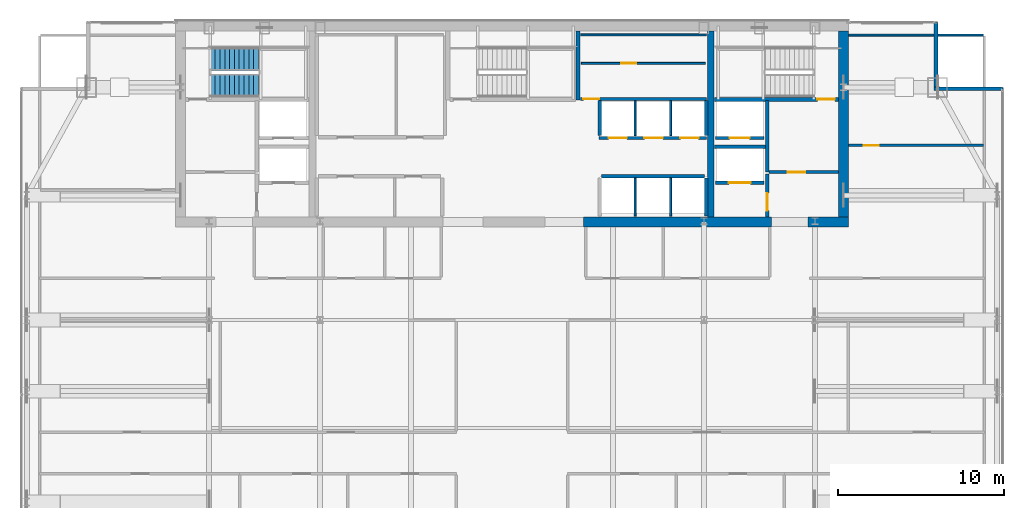
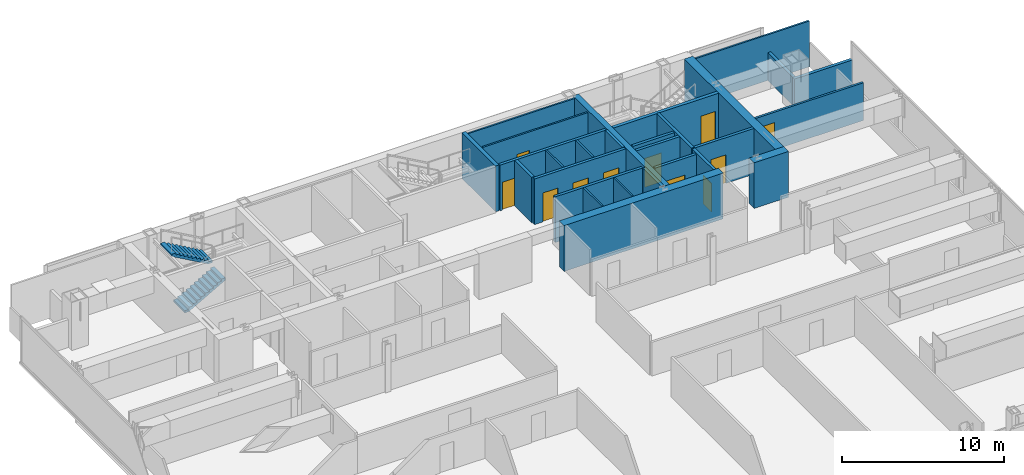
# One storey, part 23 of 26: 28 walls, 11 doors, 2 stair flights, 11 openings, 1 element without a shape of its own.
"""IFC4 building model written with IfcOpenShell, lengths in metres."""

from ifc_helpers import new_model, si_unit, direction, frame, frame_2d, origin, place, context, subcontext, project, spatial, polyline, rectangle, outline, extrude, material, layer, layer_set, type_object, element, fill, aggregate, save


model = new_model("IFC4")

# Units and contexts
model_context = context("Model", 3, precision=1e-05, world=origin(), true_north=direction((0.0, 1.0)))
body_context = subcontext(model_context, "Body", "Model", "MODEL_VIEW")
ifc_project = project(units=[si_unit("LENGTHUNIT", "METRE"), si_unit("AREAUNIT", "SQUARE_METRE"), si_unit("VOLUMEUNIT", "CUBIC_METRE"), si_unit("PLANEANGLEUNIT", "RADIAN"), si_unit("MASSUNIT", "GRAM", prefix="KILO")], contexts=[model_context])

# Site, building, storey
site_placement = place(None, origin())
site = spatial("IfcSite", under=ifc_project, at=site_placement, CompositionType="ELEMENT")
building_placement = place(site_placement, origin())
building = spatial("IfcBuilding", under=site, at=building_placement, Name="Khoronbel Lancet Exchange", CompositionType="ELEMENT")
storey_placement = place(building_placement, frame((0.0, 0.0, 235.39990234375)))
storey = spatial("IfcBuildingStorey", under=building, at=storey_placement, Name="L60", CompositionType="ELEMENT", Elevation=235.39990234375)

# Walls
ifc_material_1 = material(Name="Concrete C60/75", Category="concrete")
ifc_layer_1 = layer(ifc_material_1, 0.60009765625, Name="Concrete C60/75")
ifc_layer_set_1 = layer_set([ifc_layer_1], Name="Concrete C60/75")
wall_type_1 = type_object("IfcWallType", Name="WL-CW3", PredefinedType="SHEAR", material=ifc_layer_set_1)
wall_1_placement = place(storey_placement, frame((56.39990234375, 53.10009765625, 0.0), z_axis=(0.0, 0.0, 1.0), x_axis=(0.0, -1.0, 0.0)))
element("IfcWall", 1, at=wall_1_placement, inside=storey, type_object=wall_type_1, Name="Level L60 rear core east shear wall", PredefinedType="SHEAR", context=body_context, shape_type="SweptSolid", body=[
    extrude(rectangle(XDim=11.2001953125, YDim=0.60009765625, at=frame_2d((5.60009765625, 0.0))), origin(), (0.0, 0.0, 1.0), 3.440185546875),
])
wall_2_placement = place(storey_placement, frame((52.050048828125, 41.60009765625, 0.0), z_axis=(0.0, 0.0, 1.0), x_axis=(-1.0, 0.0, 0.0)))
element("IfcWall", 2, at=wall_2_placement, inside=storey, type_object=wall_type_1, Name="Level L60 rear core south shear wall pier P4", PredefinedType="SHEAR", context=body_context, shape_type="SweptSolid", body=[
    extrude(rectangle(XDim=11.300048828125, YDim=0.60009765625, at=frame_2d((5.64990234375, 0.0))), origin(), (0.0, 0.0, 1.0), 3.440185546875),
])
wall_3_placement = place(storey_placement, frame((56.699951171875, 41.60009765625, 0.0), z_axis=(0.0, 0.0, 1.0), x_axis=(-1.0, 0.0, 0.0)))
element("IfcWall", 3, at=wall_3_placement, inside=storey, type_object=wall_type_1, Name="Level L60 rear core south shear wall pier P5", PredefinedType="SHEAR", context=body_context, shape_type="SweptSolid", body=[
    extrude(rectangle(XDim=2.449951171875, YDim=0.60009765625, at=frame_2d((1.22509765625, 0.0))), origin(), (0.0, 0.0, 1.0), 3.440185546875),
])
ifc_material_2 = material(Name="Precast concrete C40/50", Category="concrete")
ifc_layer_2 = layer(ifc_material_2, 0.25, Name="Precast concrete C40/50")
ifc_layer_set_2 = layer_set([ifc_layer_2], Name="Precast concrete C40/50")
wall_type_2 = type_object("IfcWallType", Name="WL-EXT250", PredefinedType="SOLIDWALL", material=ifc_layer_set_2)
wall_4_placement = place(storey_placement, frame((61.9599609375, 53.6298828125, 0.0), z_axis=(0.0, 0.0, 1.0), x_axis=(0.0, -1.0, 0.0)))
element("IfcWall", 4, at=wall_4_placement, inside=storey, type_object=wall_type_2, Name="Level L60 notched-corner limestone pier 07", PredefinedType="SOLIDWALL", context=body_context, shape_type="SweptSolid", body=[
    extrude(rectangle(XDim=3.909912109375, YDim=0.219970703125, at=frame_2d((1.955078125, 0.0))), origin(), (0.0, 0.0, 1.0), 2.090087890625),
])
wall_5_placement = place(storey_placement, frame((61.85009765625, 49.610107421875, 0.0), z_axis=(0.0, 0.0, 1.0), x_axis=(1.0, 0.0, 0.0)))
element("IfcWall", 5, at=wall_5_placement, inside=storey, type_object=wall_type_2, Name="Level L60 notched-corner limestone pier 08", PredefinedType="SOLIDWALL", context=body_context, shape_type="SweptSolid", body=[
    extrude(rectangle(XDim=4.1298828125, YDim=0.219970703125, at=frame_2d((2.06494140625, 0.0))), origin(), (0.0, 0.0, 1.0), 2.090087890625),
])

# Wall, opening, door
ifc_material_3 = material(Name="Acoustic Metal-Stud & Mineral-Wool Gypsum Partition 120 mm", Category="gypsum")
ifc_layer_3 = layer(ifc_material_3, 0.1201171875, Name="Acoustic Metal-Stud & Mineral-Wool Gypsum Partition 120 mm")
ifc_layer_set_3 = layer_set([ifc_layer_3], Name="Acoustic Metal-Stud & Mineral-Wool Gypsum Partition 120 mm")
wall_type_3 = type_object("IfcWallType", Name="WL-PRT120", PredefinedType="PARTITIONING", material=ifc_layer_set_3)
wall_6_placement = place(storey_placement, frame((56.699951171875, 46.199951171875, 0.0), z_axis=(0.0, 0.0, 1.0), x_axis=(1.0, 0.0, 0.0)))
wall_6 = element("IfcWall", 6, at=wall_6_placement, inside=storey, type_object=wall_type_3, Name="Level L60 interior partition PW-NE-H", PredefinedType="PARTITIONING", context=body_context, shape_type="SweptSolid", body=[
    extrude(rectangle(XDim=8.10498046875, YDim=0.14990234375, at=frame_2d((4.052490234375, 0.0))), origin(), (0.0, 0.0, 1.0), 2.830078125),
])
opening_1_placement = place(wall_6_placement, frame((0.89990234375, 0.0, 0.0)))
opening_1 = element("IfcOpeningElement", 7, at=opening_1_placement, cuts=wall_6, Name="Opening D5", PredefinedType="OPENING", context=body_context, shape_type="SweptSolid", body=[
    extrude(rectangle(XDim=0.89990234375, YDim=2.050048828125, at=frame_2d((0.449951171875, 1.02490234375))), frame((0.0, 0.0849609375, 0.0), z_axis=(0.0, -1.0, 0.0), x_axis=(1.0, 0.0, 0.0)), (0.0, 0.0, 1.0), 0.169921875),
])
ifc_material_4 = material(Name="Acoustic Timber Pantry & Support Door", Category="wood")
door_type_1 = type_object("IfcDoorType", Name="DR-D5", OperationType="NOTDEFINED", PredefinedType="DOOR", material=ifc_material_4)
door_1_placement = place(opening_1_placement, origin())
door_1 = element("IfcDoor", 8, at=door_1_placement, inside=storey, type_object=door_type_1, Name="NE north room door L60-1", OperationType="SINGLE_SWING_LEFT", OverallHeight=2.050048828125, OverallWidth=0.89990234375, PredefinedType="DOOR", context=body_context, shape_type="SweptSolid", body=[
    extrude(rectangle(XDim=0.89990234375, YDim=2.050048828125, at=frame_2d((0.449951171875, 1.02490234375))), frame((0.0, 0.02490234375, 0.0), z_axis=(0.0, -1.0, 0.0), x_axis=(1.0, 0.0, 0.0)), (0.0, 0.0, 1.0), 0.050048828125),
])
fill(opening_1, door_1)

# Walls
wall_7_placement = place(storey_placement, frame((56.699951171875, 52.840087890625, 0.0), z_axis=(0.0, 0.0, 1.0), x_axis=(1.0, 0.0, 0.0)))
element("IfcWall", 9, at=wall_7_placement, inside=storey, type_object=wall_type_3, Name="Level L60 interior partition PW-LIN-NE", PredefinedType="PARTITIONING", context=body_context, shape_type="SweptSolid", body=[
    extrude(rectangle(XDim=8.10498046875, YDim=0.1201171875, at=frame_2d((4.052490234375, 0.0))), origin(), (0.0, 0.0, 1.0), 3.440185546875),
])
ifc_material_5 = material(Name="Fire-Rated Metal-Stud & Mineral-Wool Gypsum Partition 120 mm", Category="gypsum")
ifc_layer_4 = layer(ifc_material_5, 0.1201171875, Name="Fire-Rated Metal-Stud & Mineral-Wool Gypsum Partition 120 mm")
ifc_layer_set_4 = layer_set([ifc_layer_4], Name="Fire-Rated Metal-Stud & Mineral-Wool Gypsum Partition 120 mm")
wall_type_4 = type_object("IfcWallType", Name="WL-PRT120F", PredefinedType="PARTITIONING", material=ifc_layer_set_4)
for number, where, z_axis, x_axis, name in (
    (10, (43.860107421875, 46.800048828125, 0.0), (0.0, 0.0, 1.0), (0.0, 1.0, 0.0), "Level L60 interior partition CW-PH-D1"),
    (11, (46.0, 46.800048828125, 0.0), (0.0, 0.0, 1.0), (0.0, 1.0, 0.0), "Level L60 interior partition CW-PH-D2"),
):
    element("IfcWall", number, at=place(storey_placement, frame(where, z_axis=z_axis, x_axis=x_axis)), inside=storey, type_object=wall_type_4, Name=name, PredefinedType="PARTITIONING", context=body_context, shape_type="SweptSolid", body=[
        extrude(rectangle(XDim=2.094970703125, YDim=0.1201171875, at=frame_2d((1.04736328125, 0.0))), origin(), (0.0, 0.0, 1.0), 3.440185546875),
    ])
for number, where, z_axis, x_axis, name in (
    (12, (43.860107421875, 41.949951171875, 0.0), (0.0, 0.0, 1.0), (0.0, 1.0, 0.0), "Level L60 interior partition CW-PX-D1"),
    (13, (46.0, 41.949951171875, 0.0), (0.0, 0.0, 1.0), (0.0, 1.0, 0.0), "Level L60 interior partition CW-PX-D2"),
):
    element("IfcWall", number, at=place(storey_placement, frame(where, z_axis=z_axis, x_axis=x_axis)), inside=storey, type_object=wall_type_4, Name=name, PredefinedType="PARTITIONING", context=body_context, shape_type="SweptSolid", body=[
        extrude(rectangle(XDim=2.295166015625, YDim=0.1201171875, at=frame_2d((1.1474609375, 0.0))), origin(), (0.0, 0.0, 1.0), 3.440185546875),
    ])
wall_8_placement = place(storey_placement, frame((40.580078125, 52.860107421875, 0.0), z_axis=(0.0, 0.0, 1.0), x_axis=(1.0, 0.0, 0.0)))
element("IfcWall", 14, at=wall_8_placement, inside=storey, type_object=wall_type_4, Name="Level L60 interior partition CW-SUP-NE-N", PredefinedType="PARTITIONING", context=body_context, shape_type="SweptSolid", body=[
    extrude(rectangle(XDim=7.559814453125, YDim=0.1201171875, at=frame_2d((3.77978515625, 0.0))), origin(), (0.0, 0.0, 1.0), 3.440185546875),
])

# Wall, opening, door
wall_9_placement = place(storey_placement, frame((40.6298828125, 51.139892578125, 0.0), z_axis=(0.0, 0.0, 1.0), x_axis=(1.0, 0.0, 0.0)))
wall_9 = element("IfcWall", 15, at=wall_9_placement, inside=storey, type_object=wall_type_4, Name="Level L60 interior partition CW-SUP-NE-H", PredefinedType="PARTITIONING", context=body_context, shape_type="SweptSolid", body=[
    extrude(rectangle(XDim=7.460205078125, YDim=0.1201171875, at=frame_2d((3.72998046875, 0.0))), origin(), (0.0, 0.0, 1.0), 3.440185546875),
])
opening_2_placement = place(wall_9_placement, frame((2.39990234375, 0.0, 0.0)))
opening_2 = element("IfcOpeningElement", 16, at=opening_2_placement, cuts=wall_9, Name="Opening FD4", PredefinedType="OPENING", context=body_context, shape_type="SweptSolid", body=[
    extrude(rectangle(XDim=0.89990234375, YDim=2.050048828125, at=frame_2d((0.449951171875, 1.02490234375))), frame((0.0, 0.070068359375, 0.0), z_axis=(0.0, -1.0, 0.0), x_axis=(1.0, 0.0, 0.0)), (0.0, 0.0, 1.0), 0.14013671875),
])
ifc_material_6 = material(Name="Fire-Rated Steel Core Support Door Assembly", Category="steel")
door_type_2 = type_object("IfcDoorType", Name="DR-FD4", OperationType="NOTDEFINED", PredefinedType="DOOR", material=ifc_material_6)
door_2_placement = place(opening_2_placement, origin())
door_2 = element("IfcDoor", 17, at=door_2_placement, inside=storey, type_object=door_type_2, Name="Core NE north store door L60-1", OperationType="SINGLE_SWING_RIGHT", OverallHeight=2.050048828125, OverallWidth=0.89990234375, PredefinedType="DOOR", context=body_context, shape_type="SweptSolid", body=[
    extrude(rectangle(XDim=0.89990234375, YDim=2.050048828125, at=frame_2d((0.449951171875, 1.02490234375))), frame((0.0, 0.02490234375, 0.0), z_axis=(0.0, -1.0, 0.0), x_axis=(1.0, 0.0, 0.0)), (0.0, 0.0, 1.0), 0.050048828125),
])
fill(opening_2, door_2)

ifc_material_7 = material(Name="Autoclaved Aerated Concrete Blockwork 200 mm", Category="masonry")
ifc_layer_5 = layer(ifc_material_7, 0.199951171875, Name="Autoclaved Aerated Concrete Blockwork 200 mm")
ifc_layer_set_5 = layer_set([ifc_layer_5], Name="Autoclaved Aerated Concrete Blockwork 200 mm")
wall_type_5 = type_object("IfcWallType", Name="WL-PRT200", PredefinedType="PARTITIONING", material=ifc_layer_set_5)
wall_10_placement = place(storey_placement, frame((51.610107421875, 43.949951171875, 0.0), z_axis=(0.0, 0.0, 1.0), x_axis=(-1.0, 0.0, 0.0)))
wall_10 = element("IfcWall", 18, at=wall_10_placement, inside=storey, type_object=wall_type_5, Name="Level L60 elevator hoistway landing front wall SVLE", PredefinedType="PARTITIONING", context=body_context, shape_type="SweptSolid", body=[
    extrude(rectangle(XDim=2.920166015625, YDim=0.199951171875, at=frame_2d((1.4599609375, 0.0))), origin(), (0.0, 0.0, 1.0), 3.440185546875),
])
opening_3_placement = place(wall_10_placement, frame((0.81005859375, 0.0, 0.0)))
opening_3 = element("IfcOpeningElement", 19, at=opening_3_placement, cuts=wall_10, Name="Opening LD-SVL2", PredefinedType="OPENING", context=body_context, shape_type="SweptSolid", body=[
    extrude(rectangle(XDim=1.300048828125, YDim=2.179931640625, at=frame_2d((0.64990234375, 1.08984375))), frame((0.0, 0.10986328125, 0.0), z_axis=(0.0, -1.0, 0.0), x_axis=(1.0, 0.0, 0.0)), (0.0, 0.0, 1.0), 0.219970703125),
])
ifc_material_8 = material(Name="Heavy-Duty Bi-Parting Goods Lift Landing Door", Category="steel")
door_type_3 = type_object("IfcDoorType", Name="DR-LD-SVL", OperationType="NOTDEFINED", PredefinedType="DOOR", material=ifc_material_8)
door_3_placement = place(opening_3_placement, origin())
door_3 = element("IfcDoor", 20, at=door_3_placement, inside=storey, type_object=door_type_3, Name="Elevator landing sliding door LD-SVL2 L60", OperationType="SLIDING_TO_LEFT", OverallHeight=2.179931640625, OverallWidth=1.300048828125, PredefinedType="DOOR", context=body_context, shape_type="SweptSolid", body=[
    extrude(rectangle(XDim=1.300048828125, YDim=2.179931640625, at=frame_2d((0.64990234375, 1.08984375))), frame((0.0, 0.02490234375, 0.0), z_axis=(0.0, -1.0, 0.0), x_axis=(1.0, 0.0, 0.0)), (0.0, 0.0, 1.0), 0.050048828125),
])
fill(opening_3, door_3)

wall_11_placement = place(storey_placement, frame((51.610107421875, 46.64990234375, 0.0), z_axis=(0.0, 0.0, 1.0), x_axis=(-1.0, 0.0, 0.0)))
wall_11 = element("IfcWall", 21, at=wall_11_placement, inside=storey, type_object=wall_type_5, Name="Level L60 elevator hoistway landing front wall FFLE", PredefinedType="PARTITIONING", context=body_context, shape_type="SweptSolid", body=[
    extrude(rectangle(XDim=2.920166015625, YDim=0.199951171875, at=frame_2d((1.4599609375, 0.0))), origin(), (0.0, 0.0, 1.0), 3.440185546875),
])
opening_4_placement = place(wall_11_placement, frame((0.860107421875, 0.0, 0.0)))
opening_4 = element("IfcOpeningElement", 22, at=opening_4_placement, cuts=wall_11, Name="Opening LD-FFL2", PredefinedType="OPENING", context=body_context, shape_type="SweptSolid", body=[
    extrude(rectangle(XDim=1.199951171875, YDim=2.179931640625, at=frame_2d((0.60009765625, 1.08984375))), frame((0.0, 0.10986328125, 0.0), z_axis=(0.0, -1.0, 0.0), x_axis=(1.0, 0.0, 0.0)), (0.0, 0.0, 1.0), 0.219970703125),
])
ifc_material_9 = material(Name="Fire-Rated Stainless Bi-Parting Firefighting Lift Door", Category="steel")
door_type_4 = type_object("IfcDoorType", Name="DR-LD-FFL", OperationType="NOTDEFINED", PredefinedType="DOOR", material=ifc_material_9)
door_4_placement = place(opening_4_placement, origin())
door_4 = element("IfcDoor", 23, at=door_4_placement, inside=storey, type_object=door_type_4, Name="Elevator landing sliding door LD-FFL2 L60", OperationType="SLIDING_TO_LEFT", OverallHeight=2.179931640625, OverallWidth=1.199951171875, PredefinedType="DOOR", context=body_context, shape_type="SweptSolid", body=[
    extrude(rectangle(XDim=1.199951171875, YDim=2.179931640625, at=frame_2d((0.60009765625, 1.08984375))), frame((0.0, 0.02490234375, 0.0), z_axis=(0.0, -1.0, 0.0), x_axis=(1.0, 0.0, 0.0)), (0.0, 0.0, 1.0), 0.050048828125),
])
fill(opening_4, door_4)

# Wall, openings, doors
wall_12_placement = place(storey_placement, frame((48.159912109375, 46.64990234375, 0.0), z_axis=(0.0, 0.0, 1.0), x_axis=(-1.0, 0.0, 0.0)))
wall_12 = element("IfcWall", 24, at=wall_12_placement, inside=storey, type_object=wall_type_5, Name="Level L60 elevator hoistway landing front wall PHE", PredefinedType="PARTITIONING", context=body_context, shape_type="SweptSolid", body=[
    extrude(rectangle(XDim=6.47998046875, YDim=0.199951171875, at=frame_2d((3.239990234375, 0.0))), origin(), (0.0, 0.0, 1.0), 3.440185546875),
])
opening_5_placement = place(wall_12_placement, frame((4.800048828125, 0.0, 0.0)))
opening_5 = element("IfcOpeningElement", 25, at=opening_5_placement, cuts=wall_12, Name="Opening LD-PH1", PredefinedType="OPENING", context=body_context, shape_type="SweptSolid", body=[
    extrude(rectangle(XDim=1.10009765625, YDim=2.179931640625, at=frame_2d((0.550048828125, 1.08984375))), frame((0.0, 0.10986328125, 0.0), z_axis=(0.0, -1.0, 0.0), x_axis=(1.0, 0.0, 0.0)), (0.0, 0.0, 1.0), 0.219970703125),
])
opening_6_placement = place(wall_12_placement, frame((2.639892578125, 0.0, 0.0)))
opening_6 = element("IfcOpeningElement", 26, at=opening_6_placement, cuts=wall_12, Name="Opening LD-PH2", PredefinedType="OPENING", context=body_context, shape_type="SweptSolid", body=[
    extrude(rectangle(XDim=1.10009765625, YDim=2.179931640625, at=frame_2d((0.550048828125, 1.08984375))), frame((0.0, 0.10986328125, 0.0), z_axis=(0.0, -1.0, 0.0), x_axis=(1.0, 0.0, 0.0)), (0.0, 0.0, 1.0), 0.219970703125),
])
opening_7_placement = place(wall_12_placement, frame((0.47998046875, 0.0, 0.0)))
opening_7 = element("IfcOpeningElement", 27, at=opening_7_placement, cuts=wall_12, Name="Opening LD-PH3", PredefinedType="OPENING", context=body_context, shape_type="SweptSolid", body=[
    extrude(rectangle(XDim=1.10009765625, YDim=2.179931640625, at=frame_2d((0.550048828125, 1.08984375))), frame((0.0, 0.10986328125, 0.0), z_axis=(0.0, -1.0, 0.0), x_axis=(1.0, 0.0, 0.0)), (0.0, 0.0, 1.0), 0.219970703125),
])
ifc_material_10 = material(Name="Brushed Bronze Bi-Parting Elevator Landing Door", Category="steel")
door_type_5 = type_object("IfcDoorType", Name="DR-LD-PAX", OperationType="NOTDEFINED", PredefinedType="DOOR", material=ifc_material_10)
door_5_placement = place(opening_5_placement, origin())
door_5 = element("IfcDoor", 28, at=door_5_placement, inside=storey, type_object=door_type_5, Name="Elevator landing sliding door LD-PH1 L60", OperationType="SLIDING_TO_LEFT", OverallHeight=2.179931640625, OverallWidth=1.10009765625, PredefinedType="DOOR", context=body_context, shape_type="SweptSolid", body=[
    extrude(rectangle(XDim=1.10009765625, YDim=2.179931640625, at=frame_2d((0.550048828125, 1.08984375))), frame((0.0, 0.02490234375, 0.0), z_axis=(0.0, -1.0, 0.0), x_axis=(1.0, 0.0, 0.0)), (0.0, 0.0, 1.0), 0.050048828125),
])
fill(opening_5, door_5)
door_6_placement = place(opening_6_placement, origin())
door_6 = element("IfcDoor", 29, at=door_6_placement, inside=storey, type_object=door_type_5, Name="Elevator landing sliding door LD-PH2 L60", OperationType="SLIDING_TO_LEFT", OverallHeight=2.179931640625, OverallWidth=1.10009765625, PredefinedType="DOOR", context=body_context, shape_type="SweptSolid", body=[
    extrude(rectangle(XDim=1.10009765625, YDim=2.179931640625, at=frame_2d((0.550048828125, 1.08984375))), frame((0.0, 0.02490234375, 0.0), z_axis=(0.0, -1.0, 0.0), x_axis=(1.0, 0.0, 0.0)), (0.0, 0.0, 1.0), 0.050048828125),
])
fill(opening_6, door_6)
door_7_placement = place(opening_7_placement, origin())
door_7 = element("IfcDoor", 30, at=door_7_placement, inside=storey, type_object=door_type_5, Name="Elevator landing sliding door LD-PH3 L60", OperationType="SLIDING_TO_LEFT", OverallHeight=2.179931640625, OverallWidth=1.10009765625, PredefinedType="DOOR", context=body_context, shape_type="SweptSolid", body=[
    extrude(rectangle(XDim=1.10009765625, YDim=2.179931640625, at=frame_2d((0.550048828125, 1.08984375))), frame((0.0, 0.02490234375, 0.0), z_axis=(0.0, -1.0, 0.0), x_axis=(1.0, 0.0, 0.0)), (0.0, 0.0, 1.0), 0.050048828125),
])
fill(opening_7, door_7)

# Wall
wall_13_placement = place(storey_placement, frame((51.800048828125, 44.60009765625, 0.0), z_axis=(0.0, 0.0, 1.0), x_axis=(0.0, 1.0, 0.0)))
element("IfcWall", 31, at=wall_13_placement, inside=storey, type_object=wall_type_5, Name="Level L60 interior partition CW-FFLE-W", PredefinedType="PARTITIONING", context=body_context, shape_type="SweptSolid", body=[
    extrude(rectangle(XDim=4.2998046875, YDim=0.199951171875, at=frame_2d((2.14990234375, 0.0))), origin(), (0.0, 0.0, 1.0), 3.440185546875),
])

# Wall, opening, door
wall_14_placement = place(storey_placement, frame((51.89990234375, 44.60009765625, 0.0), z_axis=(0.0, 0.0, 1.0), x_axis=(1.0, 0.0, 0.0)))
wall_14 = element("IfcWall", 32, at=wall_14_placement, inside=storey, type_object=wall_type_5, Name="Level L60 interior partition CW-FFLE-S", PredefinedType="PARTITIONING", context=body_context, shape_type="SweptSolid", body=[
    extrude(rectangle(XDim=4.2001953125, YDim=0.199951171875, at=frame_2d((2.10009765625, 0.0))), origin(), (0.0, 0.0, 1.0), 3.440185546875),
])
opening_8_placement = place(wall_14_placement, frame((1.14990234375, 0.0, 0.0)))
opening_8 = element("IfcOpeningElement", 33, at=opening_8_placement, cuts=wall_14, Name="Opening FD1", PredefinedType="OPENING", context=body_context, shape_type="SweptSolid", body=[
    extrude(rectangle(XDim=1.050048828125, YDim=2.14990234375, at=frame_2d((0.52490234375, 1.074951171875))), frame((0.0, 0.10986328125, 0.0), z_axis=(0.0, -1.0, 0.0), x_axis=(1.0, 0.0, 0.0)), (0.0, 0.0, 1.0), 0.219970703125),
])
ifc_material_11 = material(Name="Fire-Rated Painted Steel Door Assembly", Category="steel")
door_type_6 = type_object("IfcDoorType", Name="DR-FD1", OperationType="NOTDEFINED", PredefinedType="DOOR", material=ifc_material_11)
door_8_placement = place(opening_8_placement, origin())
door_8 = element("IfcDoor", 34, at=door_8_placement, inside=storey, type_object=door_type_6, Name="East firefighting lobby FD90S door L60-1", OperationType="SINGLE_SWING_LEFT", OverallHeight=2.14990234375, OverallWidth=1.050048828125, PredefinedType="DOOR", context=body_context, shape_type="SweptSolid", body=[
    extrude(rectangle(XDim=1.050048828125, YDim=2.14990234375, at=frame_2d((0.52490234375, 1.074951171875))), frame((0.0, 0.02490234375, 0.0), z_axis=(0.0, -1.0, 0.0), x_axis=(1.0, 0.0, 0.0)), (0.0, 0.0, 1.0), 0.050048828125),
])
fill(opening_8, door_8)

# Wall
wall_15_placement = place(storey_placement, frame((48.6298828125, 46.1201171875, 0.0), z_axis=(0.0, 0.0, 1.0), x_axis=(1.0, 0.0, 0.0)))
element("IfcWall", 35, at=wall_15_placement, inside=storey, type_object=wall_type_5, Name="Level L60 interior partition CW-FFL2-S", PredefinedType="PARTITIONING", context=body_context, shape_type="SweptSolid", body=[
    extrude(rectangle(XDim=3.070068359375, YDim=0.199951171875, at=frame_2d((1.53515625, 0.0))), origin(), (0.0, 0.0, 1.0), 3.440185546875),
])

# Wall, opening, door
wall_16_placement = place(storey_placement, frame((51.800048828125, 41.89990234375, 0.0), z_axis=(0.0, 0.0, 1.0), x_axis=(0.0, 1.0, 0.0)))
wall_16 = element("IfcWall", 36, at=wall_16_placement, inside=storey, type_object=wall_type_5, Name="Level L60 interior partition CW-SVLE-E", PredefinedType="PARTITIONING", context=body_context, shape_type="SweptSolid", body=[
    extrude(rectangle(XDim=2.59521484375, YDim=0.199951171875, at=frame_2d((1.297607421875, 0.0))), origin(), (0.0, 0.0, 1.0), 3.440185546875),
])
opening_9_placement = place(wall_16_placement, frame((0.3798828125, 0.0, 0.0)))
opening_9 = element("IfcOpeningElement", 37, at=opening_9_placement, cuts=wall_16, Name="Opening FD1", PredefinedType="OPENING", context=body_context, shape_type="SweptSolid", body=[
    extrude(rectangle(XDim=1.050048828125, YDim=2.14990234375, at=frame_2d((0.52490234375, 1.074951171875))), frame((0.0, 0.10986328125, 0.0), z_axis=(0.0, -1.0, 0.0), x_axis=(1.0, 0.0, 0.0)), (0.0, 0.0, 1.0), 0.219970703125),
])
door_9_placement = place(opening_9_placement, origin())
door_9 = element("IfcDoor", 38, at=door_9_placement, inside=storey, type_object=door_type_6, Name="East service lift lobby door L60-1", OperationType="SINGLE_SWING_RIGHT", OverallHeight=2.14990234375, OverallWidth=1.050048828125, PredefinedType="DOOR", context=body_context, shape_type="SweptSolid", body=[
    extrude(rectangle(XDim=1.050048828125, YDim=2.14990234375, at=frame_2d((0.52490234375, 1.074951171875))), frame((0.0, 0.02490234375, 0.0), z_axis=(0.0, -1.0, 0.0), x_axis=(1.0, 0.0, 0.0)), (0.0, 0.0, 1.0), 0.050048828125),
])
fill(opening_9, door_9)

# Walls
for number, where, z_axis, x_axis, name in (
    (39, (41.719970703125, 46.800048828125, 0.0), (0.0, 0.0, 1.0), (0.0, 1.0, 0.0), "Level L60 interior partition CW-PH-W"),
    (40, (48.139892578125, 46.800048828125, 0.0), (0.0, 0.0, 1.0), (0.0, 1.0, 0.0), "Level L60 interior partition CW-PH-E"),
):
    element("IfcWall", number, at=place(storey_placement, frame(where, z_axis=z_axis, x_axis=x_axis)), inside=storey, type_object=wall_type_5, Name=name, PredefinedType="PARTITIONING", context=body_context, shape_type="SweptSolid", body=[
        extrude(rectangle(XDim=2.094970703125, YDim=0.199951171875, at=frame_2d((1.04736328125, 0.0))), origin(), (0.0, 0.0, 1.0), 3.440185546875),
    ])
wall_17_placement = place(storey_placement, frame((41.824951171875, 44.35009765625, 0.0), z_axis=(0.0, 0.0, 1.0), x_axis=(1.0, 0.0, 0.0)))
element("IfcWall", 41, at=wall_17_placement, inside=storey, type_object=wall_type_5, Name="Level L60 interior partition CW-PX-EXP", PredefinedType="PARTITIONING", context=body_context, shape_type="SweptSolid", body=[
    extrude(rectangle(XDim=6.2099609375, YDim=0.199951171875, at=frame_2d((3.10498046875, 0.0))), origin(), (0.0, 0.0, 1.0), 3.440185546875),
])
wall_18_placement = place(storey_placement, frame((48.139892578125, 41.949951171875, 0.0), z_axis=(0.0, 0.0, 1.0), x_axis=(0.0, 1.0, 0.0)))
element("IfcWall", 42, at=wall_18_placement, inside=storey, type_object=wall_type_5, Name="Level L60 interior partition CW-PX-E", PredefinedType="PARTITIONING", context=body_context, shape_type="SweptSolid", body=[
    extrude(rectangle(XDim=2.295166015625, YDim=0.199951171875, at=frame_2d((1.1474609375, 0.0))), origin(), (0.0, 0.0, 1.0), 3.440185546875),
])

# Wall, opening, door
wall_19_placement = place(storey_placement, frame((40.580078125, 49.0, 0.0), z_axis=(0.0, 0.0, 1.0), x_axis=(1.0, 0.0, 0.0)))
wall_19 = element("IfcWall", 43, at=wall_19_placement, inside=storey, type_object=wall_type_5, Name="Level L60 interior partition CW-SUP-NE-S", PredefinedType="PARTITIONING", context=body_context, shape_type="SweptSolid", body=[
    extrude(rectangle(XDim=7.559814453125, YDim=0.199951171875, at=frame_2d((3.77978515625, 0.0))), origin(), (0.0, 0.0, 1.0), 3.440185546875),
])
opening_10_placement = place(wall_19_placement, frame((0.159912109375, 0.0, 0.0)))
opening_10 = element("IfcOpeningElement", 44, at=opening_10_placement, cuts=wall_19, Name="Opening FD3", PredefinedType="OPENING", context=body_context, shape_type="SweptSolid", body=[
    extrude(rectangle(XDim=0.949951171875, YDim=2.10009765625, at=frame_2d((0.47509765625, 1.050048828125))), frame((0.0, 0.10986328125, 0.0), z_axis=(0.0, -1.0, 0.0), x_axis=(1.0, 0.0, 0.0)), (0.0, 0.0, 1.0), 0.219970703125),
])
ifc_material_12 = material(Name="Fire-Rated Steel Plant & Riser Door Assembly", Category="steel")
door_type_7 = type_object("IfcDoorType", Name="DR-FD3", OperationType="NOTDEFINED", PredefinedType="DOOR", material=ifc_material_12)
door_10_placement = place(opening_10_placement, origin())
door_10 = element("IfcDoor", 45, at=door_10_placement, inside=storey, type_object=door_type_7, Name="Core NE support room door L60-1", OperationType="SINGLE_SWING_LEFT", OverallHeight=2.10009765625, OverallWidth=0.949951171875, PredefinedType="DOOR", context=body_context, shape_type="SweptSolid", body=[
    extrude(rectangle(XDim=0.949951171875, YDim=2.10009765625, at=frame_2d((0.47509765625, 1.050048828125))), frame((0.0, 0.02490234375, 0.0), z_axis=(0.0, -1.0, 0.0), x_axis=(1.0, 0.0, 0.0)), (0.0, 0.0, 1.0), 0.050048828125),
])
fill(opening_10, door_10)

# Walls
ifc_layer_6 = layer(ifc_material_1, 0.39990234375, Name="Concrete C60/75")
ifc_layer_set_6 = layer_set([ifc_layer_6], Name="Concrete C60/75")
wall_type_6 = type_object("IfcWallType", Name="WL-SW2", PredefinedType="SHEAR", material=ifc_layer_set_6)
wall_20_placement = place(storey_placement, frame((48.39990234375, 41.89990234375, 0.0), z_axis=(0.0, 0.0, 1.0), x_axis=(0.0, 1.0, 0.0)))
element("IfcWall", 46, at=wall_20_placement, inside=storey, type_object=wall_type_6, Name="Level L60 rear core internal spine shear wall IE", PredefinedType="SHEAR", context=body_context, shape_type="SweptSolid", body=[
    extrude(rectangle(XDim=11.2001953125, YDim=0.39990234375, at=frame_2d((5.60009765625, 0.0))), origin(), (0.0, 0.0, 1.0), 3.440185546875),
])
ifc_layer_7 = layer(ifc_material_1, 0.260009765625, Name="Concrete C60/75")
ifc_layer_set_7 = layer_set([ifc_layer_7], Name="Concrete C60/75")
wall_type_7 = type_object("IfcWallType", Name="WL-SW3", PredefinedType="SHEAR", material=ifc_layer_set_7)
wall_21_placement = place(storey_placement, frame((40.419921875, 48.949951171875, 0.0), z_axis=(0.0, 0.0, 1.0), x_axis=(0.0, 1.0, 0.0)))
element("IfcWall", 47, at=wall_21_placement, inside=storey, type_object=wall_type_7, Name="Level L60 central stairwell structural shear wall ST3E", PredefinedType="SHEAR", context=body_context, shape_type="SweptSolid", body=[
    extrude(rectangle(XDim=4.150146484375, YDim=0.260009765625, at=frame_2d((2.0751953125, 0.0))), origin(), (0.0, 0.0, 1.0), 3.440185546875),
])

# Wall, opening, door
wall_22_placement = place(storey_placement, frame((48.6298828125, 48.97998046875, 0.0), z_axis=(0.0, 0.0, 1.0), x_axis=(1.0, 0.0, 0.0)))
wall_22 = element("IfcWall", 48, at=wall_22_placement, inside=storey, type_object=wall_type_7, Name="Level L60 east stairwell structural south wall", PredefinedType="SHEAR", context=body_context, shape_type="SweptSolid", body=[
    extrude(rectangle(XDim=7.47021484375, YDim=0.239990234375, at=frame_2d((3.735107421875, 0.0))), origin(), (0.0, 0.0, 1.0), 3.440185546875),
])
opening_11_placement = place(wall_22_placement, frame((6.199951171875, 0.0, 0.0)))
opening_11 = element("IfcOpeningElement", 49, at=opening_11_placement, cuts=wall_22, Name="Opening SD1", PredefinedType="OPENING", context=body_context, shape_type="SweptSolid", body=[
    extrude(rectangle(XDim=1.050048828125, YDim=2.14990234375, at=frame_2d((0.52490234375, 1.074951171875))), frame((0.0, 0.1298828125, 0.0), z_axis=(0.0, -1.0, 0.0), x_axis=(1.0, 0.0, 0.0)), (0.0, 0.0, 1.0), 0.260009765625),
])
ifc_material_13 = material(Name="Fire-Rated Steel Stairwell Door Assembly", Category="steel")
door_type_8 = type_object("IfcDoorType", Name="DR-SD1", OperationType="NOTDEFINED", PredefinedType="DOOR", material=ifc_material_13)
door_11_placement = place(opening_11_placement, origin())
door_11 = element("IfcDoor", 50, at=door_11_placement, inside=storey, type_object=door_type_8, Name="Protected exit stair ST2 door L60", OperationType="SINGLE_SWING_RIGHT", OverallHeight=2.14990234375, OverallWidth=1.050048828125, PredefinedType="DOOR", context=body_context, shape_type="SweptSolid", body=[
    extrude(rectangle(XDim=1.050048828125, YDim=2.14990234375, at=frame_2d((0.52490234375, 1.074951171875))), frame((0.0, 0.02490234375, 0.0), z_axis=(0.0, -1.0, 0.0), x_axis=(1.0, 0.0, 0.0)), (0.0, 0.0, 1.0), 0.050048828125),
])
fill(opening_11, door_11)

# Stair, stair flights
ifc_material_14 = material(Name="Concrete C40/50", Category="concrete")
stair_type = type_object("IfcStairType", Name="STR-CORE150", PredefinedType="HALF_TURN_STAIR", material=ifc_material_14)
stair_placement = place(storey_placement, origin())
stair = element("IfcStair", 51, at=stair_placement, inside=storey, type_object=stair_type, Name="L60 Protected Exit Stair ST1", PredefinedType="HALF_TURN_STAIR")
stair_flight_type = type_object("IfcStairFlightType", Name="STF-150", PredefinedType="STRAIGHT", material=ifc_material_14)
stair_flight_1_placement = place(storey_placement, frame((18.300048828125, 49.81005859375, 0.0), z_axis=(0.0, 0.0, 1.0), x_axis=(1.0, 0.0, 0.0)))
stair_flight_1 = element("IfcStairFlight", 52, at=stair_flight_1_placement, type_object=stair_flight_type, Name="ST1 flight 1", NumberOfRisers=11, NumberOfTreads=10, PredefinedType="STRAIGHT", RiserHeight=0.163636364, TreadLength=0.29, context=body_context, shape_type="SweptSolid", body=[
    extrude(outline(polyline([(0.0, 0.0), (0.0, 0.16357421875), (0.2900390625, 0.16357421875), (0.2900390625, 0.327392578125), (0.580078125, 0.327392578125), (0.580078125, 0.490966796875), (0.8701171875, 0.490966796875), (0.8701171875, 0.654541015625), (1.159912109375, 0.654541015625), (1.159912109375, 0.818115234375), (1.449951171875, 0.818115234375), (1.449951171875, 0.98193359375), (1.739990234375, 0.98193359375), (1.739990234375, 1.1455078125), (2.030029296875, 1.1455078125), (2.030029296875, 1.30908203125), (2.320068359375, 1.30908203125), (2.320068359375, 1.47265625), (2.610107421875, 1.47265625), (2.610107421875, 1.636474609375), (2.89990234375, 1.636474609375), (2.89990234375, 1.800048828125), (2.89990234375, 1.46435546875), (0.304931640625, 0.0), (0.0, 0.0)])), frame((0.0, 0.68994140625, 0.0), z_axis=(0.0, -1.0, 0.0), x_axis=(1.0, 0.0, 0.0)), (0.0, 0.0, 1.0), 1.3798828125),
])
stair_flight_2_placement = place(storey_placement, frame((21.199951171875, 51.409912109375, 1.800048828125), z_axis=(0.0, 0.0, 1.0), x_axis=(-1.0, 0.0, 0.0)))
stair_flight_2 = element("IfcStairFlight", 53, at=stair_flight_2_placement, type_object=stair_flight_type, Name="ST1 flight 2", NumberOfRisers=11, NumberOfTreads=10, PredefinedType="STRAIGHT", RiserHeight=0.163636364, TreadLength=0.29, context=body_context, shape_type="SweptSolid", body=[
    extrude(outline(polyline([(0.0, 0.0), (0.0, 0.16357421875), (0.2900390625, 0.16357421875), (0.2900390625, 0.327392578125), (0.580078125, 0.327392578125), (0.580078125, 0.490966796875), (0.8701171875, 0.490966796875), (0.8701171875, 0.654541015625), (1.159912109375, 0.654541015625), (1.159912109375, 0.818115234375), (1.449951171875, 0.818115234375), (1.449951171875, 0.98193359375), (1.739990234375, 0.98193359375), (1.739990234375, 1.1455078125), (2.030029296875, 1.1455078125), (2.030029296875, 1.30908203125), (2.320068359375, 1.30908203125), (2.320068359375, 1.47265625), (2.610107421875, 1.47265625), (2.610107421875, 1.636474609375), (2.89990234375, 1.636474609375), (2.89990234375, 1.800048828125), (2.89990234375, 1.46435546875), (0.304931640625, 0.0), (0.0, 0.0)])), frame((0.0, 0.68994140625, 0.0), z_axis=(0.0, -1.0, 0.0), x_axis=(1.0, 0.0, 0.0)), (0.0, 0.0, 1.0), 1.3798828125),
])
aggregate(stair, [stair_flight_1, stair_flight_2])

save(model, "model.ifc")
